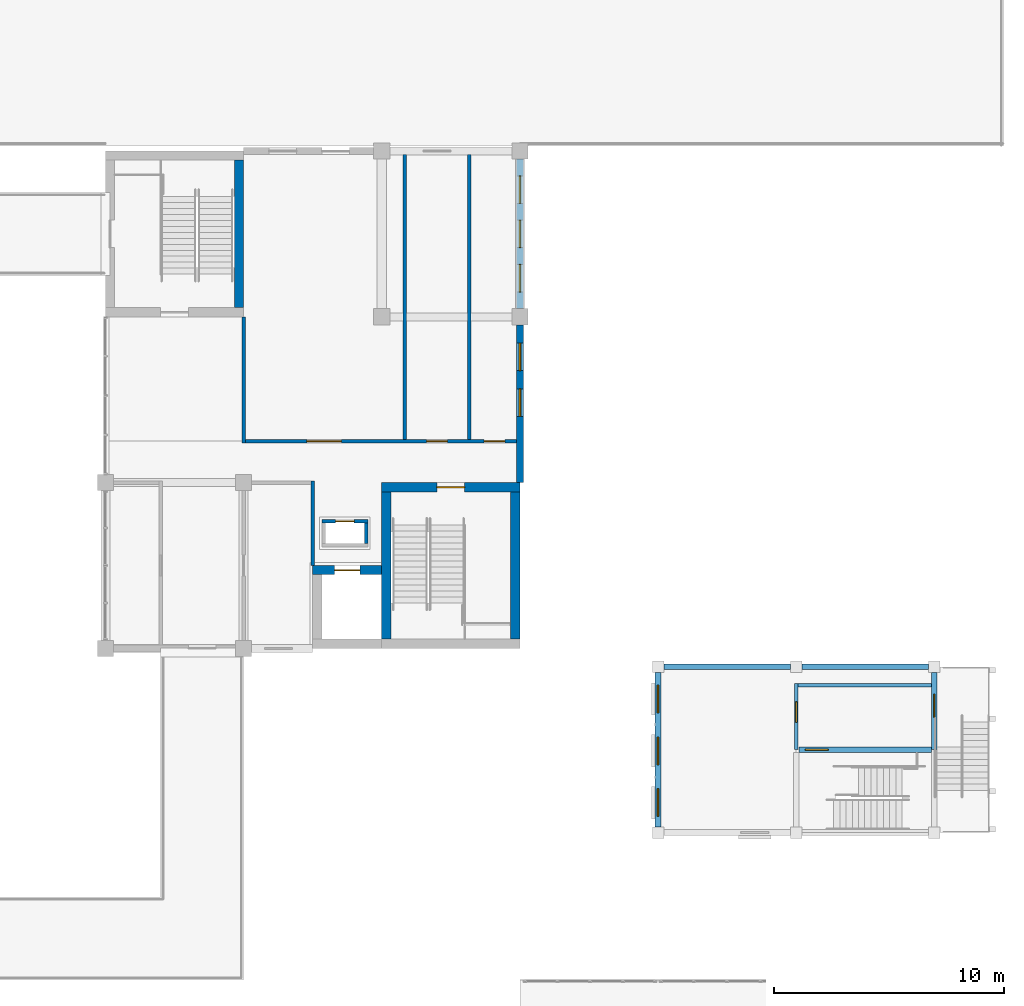
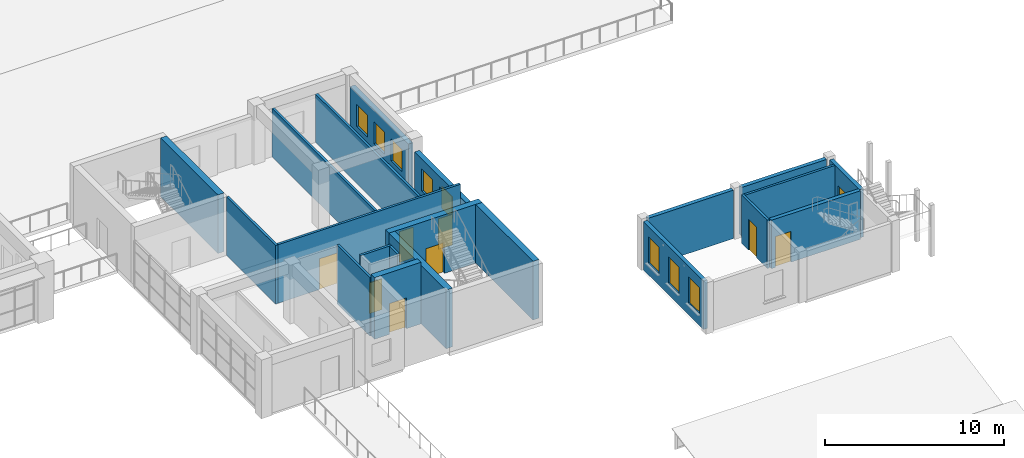
# One storey, part 77 of 101: 21 walls, 9 doors, 8 windows, 17 openings.
"""IFC4 building model written with IfcOpenShell, lengths in metres."""

from ifc_helpers import new_model, si_unit, direction, frame, frame_2d, origin, place, context, subcontext, project, spatial, rectangle, extrude, material, layer, layer_set, type_object, element, fill, save


model = new_model("IFC4")

# Units and contexts
model_context = context("Model", 3, precision=1e-05, world=origin(), true_north=direction((0.0, 1.0)))
body_context = subcontext(model_context, "Body", "Model", "MODEL_VIEW")
ifc_project = project(units=[si_unit("LENGTHUNIT", "METRE"), si_unit("AREAUNIT", "SQUARE_METRE"), si_unit("VOLUMEUNIT", "CUBIC_METRE"), si_unit("PLANEANGLEUNIT", "RADIAN"), si_unit("MASSUNIT", "GRAM", prefix="KILO")], contexts=[model_context])

# Site, building, storey
site_placement = place(None, origin())
site = spatial("IfcSite", under=ifc_project, at=site_placement, CompositionType="ELEMENT")
building_placement = place(site_placement, origin())
building = spatial("IfcBuilding", under=site, at=building_placement, Name="Laocheng Heights Fire and Rescue Headquarters", CompositionType="ELEMENT")
storey_placement = place(building_placement, frame((0.0, 0.0, 8.39990234375)))
storey = spatial("IfcBuildingStorey", under=building, at=storey_placement, Name="L02", CompositionType="ELEMENT", Elevation=8.39990234375)

# Walls
ifc_material_1 = material(Name="Gypsum plaster")
ifc_layer_1 = layer(ifc_material_1, 0.010009765625, Name="PLASTER", Category="plaster")
ifc_material_2 = material(Name="Concrete blockwork MU10", Category="masonry")
ifc_layer_2 = layer(ifc_material_2, 0.1298828125, Name="BLOCKWORK", Category="masonry")
ifc_layer_3 = layer(ifc_material_1, 0.010009765625, Name="PLASTER", Category="plaster")
ifc_layer_set_1 = layer_set([ifc_layer_1, ifc_layer_2, ifc_layer_3], Name="Concrete blockwork MU10")
wall_type_1 = type_object("IfcWallType", Name="BLOCKWORK CORRIDOR WALL 150 EI 60 CREW WING", PredefinedType="PARTITIONING", material=ifc_layer_set_1)
wall_1_placement = place(storey_placement, frame((96.0, 44.925048828125, 0.0), z_axis=(0.0, 0.0, 1.0), x_axis=(0.0, 1.0, 0.0)))
element("IfcWall", 1, at=wall_1_placement, inside=storey, type_object=wall_type_1, Name="Partition L02-003", PredefinedType="PARTITIONING", context=body_context, shape_type="SweptSolid", body=[
    extrude(rectangle(XDim=5.474853515625, YDim=0.14990234375, at=frame_2d((2.7373046875, 0.0))), origin(), (0.0, 0.0, 1.0), 4.0),
])
wall_2_placement = place(storey_placement, frame((99.0, 39.60009765625, 0.0), z_axis=(0.0, 0.0, 1.0), x_axis=(0.0, 1.0, 0.0)))
element("IfcWall", 2, at=wall_2_placement, inside=storey, type_object=wall_type_1, Name="Partition L02-004", PredefinedType="PARTITIONING", context=body_context, shape_type="SweptSolid", body=[
    extrude(rectangle(XDim=3.6748046875, YDim=0.14990234375, at=frame_2d((1.83740234375, 0.0))), origin(), (0.0, 0.0, 1.0), 4.0),
])
for number, where, z_axis, x_axis, name in (
    (3, (103.0, 45.074951171875, 0.0), (0.0, 0.0, 1.0), (0.0, 1.0, 0.0), "Partition L02-005"),
    (4, (105.800048828125, 45.074951171875, 0.0), (0.0, 0.0, 1.0), (0.0, 1.0, 0.0), "Partition L02-006"),
):
    element("IfcWall", number, at=place(storey_placement, frame(where, z_axis=z_axis, x_axis=x_axis)), inside=storey, type_object=wall_type_1, Name=name, PredefinedType="PARTITIONING", context=body_context, shape_type="SweptSolid", body=[
        extrude(rectangle(XDim=12.375, YDim=0.14990234375, at=frame_2d((6.1875, 0.0))), origin(), (0.0, 0.0, 1.0), 3.300048828125),
    ])

# Wall, openings, doors
wall_3_placement = place(storey_placement, frame((96.074951171875, 45.0, 0.0), z_axis=(0.0, 0.0, 1.0), x_axis=(1.0, 0.0, 0.0)))
wall_3 = element("IfcWall", 5, at=wall_3_placement, inside=storey, type_object=wall_type_1, Name="Partition L02-009", PredefinedType="PARTITIONING", context=body_context, shape_type="SweptSolid", body=[
    extrude(rectangle(XDim=11.775146484375, YDim=0.14990234375, at=frame_2d((5.8876953125, 0.0))), origin(), (0.0, 0.0, 1.0), 4.0),
])
opening_1_placement = place(wall_3_placement, frame((2.675048828125, 0.0, 0.0)))
opening_1 = element("IfcOpeningElement", 6, at=opening_1_placement, cuts=wall_3, Name="Opening L02-T03", PredefinedType="OPENING", context=body_context, shape_type="SweptSolid", body=[
    extrude(rectangle(XDim=1.5, YDim=2.10009765625, at=frame_2d((0.75, 1.050048828125))), frame((0.0, 0.0849609375, 0.0), z_axis=(0.0, -1.0, 0.0), x_axis=(1.0, 0.0, 0.0)), (0.0, 0.0, 1.0), 0.169921875),
])
opening_2_placement = place(wall_3_placement, frame((7.875, 0.0, 0.0)))
opening_2 = element("IfcOpeningElement", 7, at=opening_2_placement, cuts=wall_3, Name="Opening L02-T04", PredefinedType="OPENING", context=body_context, shape_type="SweptSolid", body=[
    extrude(rectangle(XDim=0.89990234375, YDim=2.10009765625, at=frame_2d((0.449951171875, 1.050048828125))), frame((0.0, 0.0849609375, 0.0), z_axis=(0.0, -1.0, 0.0), x_axis=(1.0, 0.0, 0.0)), (0.0, 0.0, 1.0), 0.169921875),
])
opening_3_placement = place(wall_3_placement, frame((10.375, 0.0, 0.0)))
opening_3 = element("IfcOpeningElement", 8, at=opening_3_placement, cuts=wall_3, Name="Opening L02-T05", PredefinedType="OPENING", context=body_context, shape_type="SweptSolid", body=[
    extrude(rectangle(XDim=0.89990234375, YDim=2.10009765625, at=frame_2d((0.449951171875, 1.050048828125))), frame((0.0, 0.0849609375, 0.0), z_axis=(0.0, -1.0, 0.0), x_axis=(1.0, 0.0, 0.0)), (0.0, 0.0, 1.0), 0.169921875),
])
ifc_material_3 = material(Name="Timber door leaf, veneered", Category="wood")
door_type_1 = type_object("IfcDoorType", Name="TIMBER DOOR 1500x2100 EI 30 CREW WING", OperationType="SINGLE_SWING_LEFT", PredefinedType="DOOR", material=ifc_material_3)
door_1_placement = place(opening_1_placement, origin())
door_1 = element("IfcDoor", 9, at=door_1_placement, inside=storey, type_object=door_type_1, Name="Door L02-T03", OperationType="SINGLE_SWING_LEFT", OverallHeight=2.10009765625, OverallWidth=1.5, PredefinedType="DOOR", context=body_context, shape_type="SweptSolid", body=[
    extrude(rectangle(XDim=1.5, YDim=2.10009765625, at=frame_2d((0.75, 1.050048828125))), frame((0.0, 0.02490234375, 0.0), z_axis=(0.0, -1.0, 0.0), x_axis=(1.0, 0.0, 0.0)), (0.0, 0.0, 1.0), 0.050048828125),
])
fill(opening_1, door_1)
ifc_material_4 = material(Name="Timber door leaf, veneered", Category="wood")
door_type_2 = type_object("IfcDoorType", Name="TIMBER DOOR 900x2100 EI 30 CREW WING", OperationType="SINGLE_SWING_LEFT", PredefinedType="DOOR", material=ifc_material_4)
door_2_placement = place(opening_2_placement, origin())
door_2 = element("IfcDoor", 10, at=door_2_placement, inside=storey, type_object=door_type_2, Name="Door L02-T04", OperationType="SINGLE_SWING_RIGHT", OverallHeight=2.10009765625, OverallWidth=0.89990234375, PredefinedType="DOOR", context=body_context, shape_type="SweptSolid", body=[
    extrude(rectangle(XDim=0.89990234375, YDim=2.10009765625, at=frame_2d((0.449951171875, 1.050048828125))), frame((0.0, 0.02490234375, 0.0), z_axis=(0.0, -1.0, 0.0), x_axis=(1.0, 0.0, 0.0)), (0.0, 0.0, 1.0), 0.050048828125),
])
fill(opening_2, door_2)
door_3_placement = place(opening_3_placement, origin())
door_3 = element("IfcDoor", 11, at=door_3_placement, inside=storey, type_object=door_type_2, Name="Door L02-T05", OperationType="SINGLE_SWING_RIGHT", OverallHeight=2.10009765625, OverallWidth=0.89990234375, PredefinedType="DOOR", context=body_context, shape_type="SweptSolid", body=[
    extrude(rectangle(XDim=0.89990234375, YDim=2.10009765625, at=frame_2d((0.449951171875, 1.050048828125))), frame((0.0, 0.02490234375, 0.0), z_axis=(0.0, -1.0, 0.0), x_axis=(1.0, 0.0, 0.0)), (0.0, 0.0, 1.0), 0.050048828125),
])
fill(opening_3, door_3)

# Wall, opening, door
ifc_material_5 = material(Name="Gypsum plaster")
ifc_layer_4 = layer(ifc_material_5, 0.010009765625, Name="PLASTER", Category="plaster")
ifc_material_6 = material(Name="Concrete blockwork MU10", Category="masonry")
ifc_layer_5 = layer(ifc_material_6, 0.1298828125, Name="BLOCKWORK", Category="masonry")
ifc_layer_6 = layer(ifc_material_5, 0.010009765625, Name="PLASTER", Category="plaster")
ifc_layer_set_2 = layer_set([ifc_layer_4, ifc_layer_5, ifc_layer_6], Name="Concrete blockwork MU10")
wall_type_2 = type_object("IfcWallType", Name="BLOCKWORK STAIR LANDING WALL 150 EI 120 DRILL TOWER", PredefinedType="PARTITIONING", material=ifc_layer_set_2)
wall_4_placement = place(storey_placement, frame((120.0, 31.60009765625, 2.10009765625), z_axis=(0.0, 0.0, 1.0), x_axis=(0.0, 1.0, 0.0)))
wall_4 = element("IfcWall", 12, at=wall_4_placement, inside=storey, type_object=wall_type_2, Name="Landing partition F4", PredefinedType="PARTITIONING", context=body_context, shape_type="SweptSolid", body=[
    extrude(rectangle(XDim=2.875, YDim=0.14990234375, at=frame_2d((1.4375, 0.0))), origin(), (0.0, 0.0, 1.0), 3.300048828125),
])
opening_4_placement = place(wall_4_placement, frame((1.1875, 0.0, 0.0)))
opening_4 = element("IfcOpeningElement", 13, at=opening_4_placement, cuts=wall_4, Name="Opening L02-L51", PredefinedType="OPENING", context=body_context, shape_type="SweptSolid", body=[
    extrude(rectangle(XDim=0.89990234375, YDim=2.10009765625, at=frame_2d((0.449951171875, 1.050048828125))), frame((0.0, 0.0849609375, 0.0), z_axis=(0.0, -1.0, 0.0), x_axis=(1.0, 0.0, 0.0)), (0.0, 0.0, 1.0), 0.169921875),
])
ifc_material_7 = material(Name="Steel door leaf, painted", Category="steel")
door_type_3 = type_object("IfcDoorType", Name="STEEL FIRE DOOR 900x2100 EI 90 DRILL TOWER", OperationType="SINGLE_SWING_LEFT", PredefinedType="DOOR", material=ifc_material_7)
door_4_placement = place(opening_4_placement, origin())
door_4 = element("IfcDoor", 14, at=door_4_placement, inside=storey, type_object=door_type_3, Name="Door L02-L51", OperationType="SINGLE_SWING_LEFT", OverallHeight=2.10009765625, OverallWidth=0.89990234375, PredefinedType="DOOR", context=body_context, shape_type="SweptSolid", body=[
    extrude(rectangle(XDim=0.89990234375, YDim=2.10009765625, at=frame_2d((0.449951171875, 1.050048828125))), frame((0.0, 0.02490234375, 0.0), z_axis=(0.0, -1.0, 0.0), x_axis=(1.0, 0.0, 0.0)), (0.0, 0.0, 1.0), 0.050048828125),
])
fill(opening_4, door_4)

# Wall
wall_5_placement = place(storey_placement, frame((120.074951171875, 34.39990234375, 2.10009765625), z_axis=(0.0, 0.0, 1.0), x_axis=(1.0, 0.0, 0.0)))
element("IfcWall", 15, at=wall_5_placement, inside=storey, type_object=wall_type_2, Name="Landing partition F4", PredefinedType="PARTITIONING", context=body_context, shape_type="SweptSolid", body=[
    extrude(rectangle(XDim=5.800048828125, YDim=0.14990234375, at=frame_2d((2.89990234375, 0.0))), origin(), (0.0, 0.0, 1.0), 3.300048828125),
])

# Wall, openings, windows
ifc_material_8 = material(Name="Precast concrete C40/50", Category="concrete")
ifc_layer_7 = layer(ifc_material_8, 0.300048828125)
ifc_layer_set_3 = layer_set([ifc_layer_7], Name="Precast concrete C40/50")
wall_type_3 = type_object("IfcWallType", Name="PRECAST WALL PANEL CREW 300", PredefinedType="SOLIDWALL", material=ifc_layer_set_3)
wall_6_placement = place(storey_placement, frame((108.0, 43.199951171875, 0.0), z_axis=(0.0, 0.0, 1.0), x_axis=(0.0, 1.0, 0.0)))
wall_6 = element("IfcWall", 16, at=wall_6_placement, inside=storey, type_object=wall_type_3, Name="PRECAST WALL PANEL CREW CREW EAST L02", PredefinedType="SOLIDWALL", context=body_context, shape_type="SweptSolid", body=[
    extrude(rectangle(XDim=6.85009765625, YDim=0.300048828125, at=frame_2d((3.425048828125, 0.0))), origin(), (0.0, 0.0, 1.0), 3.10009765625),
])
opening_5_placement = place(wall_6_placement, frame((2.8701171875, 0.0, 0.89990234375)))
opening_5 = element("IfcOpeningElement", 17, at=opening_5_placement, cuts=wall_6, Name="Opening N3-W", PredefinedType="OPENING", context=body_context, shape_type="SweptSolid", body=[
    extrude(rectangle(XDim=1.199951171875, YDim=1.5, at=frame_2d((0.60009765625, 0.75))), frame((0.0, 0.159912109375, 0.0), z_axis=(0.0, -1.0, 0.0), x_axis=(1.0, 0.0, 0.0)), (0.0, 0.0, 1.0), 0.320068359375),
])
opening_6_placement = place(wall_6_placement, frame((4.860107421875, 0.0, 0.89990234375)))
opening_6 = element("IfcOpeningElement", 18, at=opening_6_placement, cuts=wall_6, Name="Opening N3-W", PredefinedType="OPENING", context=body_context, shape_type="SweptSolid", body=[
    extrude(rectangle(XDim=1.199951171875, YDim=1.5, at=frame_2d((0.60009765625, 0.75))), frame((0.0, 0.159912109375, 0.0), z_axis=(0.0, -1.0, 0.0), x_axis=(1.0, 0.0, 0.0)), (0.0, 0.0, 1.0), 0.320068359375),
])
ifc_material_9 = material(Name="Low-e double glazing in aluminium frame", Category="aluminium")
window_type_1 = type_object("IfcWindowType", Name="WINDOW 1200 x 1500 CREW GENERAL", PartitioningType="SINGLE_PANEL", PredefinedType="WINDOW", material=ifc_material_9)
window_1_placement = place(opening_5_placement, origin())
window_1 = element("IfcWindow", 19, at=window_1_placement, inside=storey, type_object=window_type_1, Name="CREW GENERAL CREW EAST L02", OverallHeight=1.5, OverallWidth=1.199951171875, PartitioningType="SINGLE_PANEL", PredefinedType="WINDOW", context=body_context, shape_type="SweptSolid", body=[
    extrude(rectangle(XDim=1.199951171875, YDim=1.5, at=frame_2d((0.60009765625, 0.75))), frame((0.0, 0.030029296875, 0.0), z_axis=(0.0, -1.0, 0.0), x_axis=(1.0, 0.0, 0.0)), (0.0, 0.0, 1.0), 0.06005859375),
])
fill(opening_5, window_1)
window_2_placement = place(opening_6_placement, origin())
window_2 = element("IfcWindow", 20, at=window_2_placement, inside=storey, type_object=window_type_1, Name="CREW GENERAL CREW EAST L02", OverallHeight=1.5, OverallWidth=1.199951171875, PartitioningType="SINGLE_PANEL", PredefinedType="WINDOW", context=body_context, shape_type="SweptSolid", body=[
    extrude(rectangle(XDim=1.199951171875, YDim=1.5, at=frame_2d((0.60009765625, 0.75))), frame((0.0, 0.030029296875, 0.0), z_axis=(0.0, -1.0, 0.0), x_axis=(1.0, 0.0, 0.0)), (0.0, 0.0, 1.0), 0.06005859375),
])
fill(opening_6, window_2)

wall_7_placement = place(storey_placement, frame((108.0, 50.75, 0.0), z_axis=(0.0, 0.0, 1.0), x_axis=(0.0, 1.0, 0.0)))
wall_7 = element("IfcWall", 21, at=wall_7_placement, inside=storey, type_object=wall_type_3, Name="PRECAST WALL PANEL CREW CREW EAST L02", PredefinedType="SOLIDWALL", context=body_context, shape_type="SweptSolid", body=[
    extrude(rectangle(XDim=6.5, YDim=0.300048828125, at=frame_2d((3.25, 0.0))), origin(), (0.0, 0.0, 1.0), 3.2001953125),
])
opening_7_placement = place(wall_7_placement, frame((0.72509765625, 0.0, 0.89990234375)))
opening_7 = element("IfcOpeningElement", 22, at=opening_7_placement, cuts=wall_7, Name="Opening N3-W", PredefinedType="OPENING", context=body_context, shape_type="SweptSolid", body=[
    extrude(rectangle(XDim=1.199951171875, YDim=1.5, at=frame_2d((0.60009765625, 0.75))), frame((0.0, 0.159912109375, 0.0), z_axis=(0.0, -1.0, 0.0), x_axis=(1.0, 0.0, 0.0)), (0.0, 0.0, 1.0), 0.320068359375),
])
opening_8_placement = place(wall_7_placement, frame((2.64990234375, 0.0, 0.89990234375)))
opening_8 = element("IfcOpeningElement", 23, at=opening_8_placement, cuts=wall_7, Name="Opening N3-W", PredefinedType="OPENING", context=body_context, shape_type="SweptSolid", body=[
    extrude(rectangle(XDim=1.199951171875, YDim=1.5, at=frame_2d((0.60009765625, 0.75))), frame((0.0, 0.159912109375, 0.0), z_axis=(0.0, -1.0, 0.0), x_axis=(1.0, 0.0, 0.0)), (0.0, 0.0, 1.0), 0.320068359375),
])
opening_9_placement = place(wall_7_placement, frame((4.574951171875, 0.0, 0.89990234375)))
opening_9 = element("IfcOpeningElement", 24, at=opening_9_placement, cuts=wall_7, Name="Opening N3-W", PredefinedType="OPENING", context=body_context, shape_type="SweptSolid", body=[
    extrude(rectangle(XDim=1.199951171875, YDim=1.5, at=frame_2d((0.60009765625, 0.75))), frame((0.0, 0.159912109375, 0.0), z_axis=(0.0, -1.0, 0.0), x_axis=(1.0, 0.0, 0.0)), (0.0, 0.0, 1.0), 0.320068359375),
])
window_3_placement = place(opening_7_placement, origin())
window_3 = element("IfcWindow", 25, at=window_3_placement, inside=storey, type_object=window_type_1, Name="CREW GENERAL CREW EAST L02", OverallHeight=1.5, OverallWidth=1.199951171875, PartitioningType="SINGLE_PANEL", PredefinedType="WINDOW", context=body_context, shape_type="SweptSolid", body=[
    extrude(rectangle(XDim=1.199951171875, YDim=1.5, at=frame_2d((0.60009765625, 0.75))), frame((0.0, 0.030029296875, 0.0), z_axis=(0.0, -1.0, 0.0), x_axis=(1.0, 0.0, 0.0)), (0.0, 0.0, 1.0), 0.06005859375),
])
fill(opening_7, window_3)
window_4_placement = place(opening_8_placement, origin())
window_4 = element("IfcWindow", 26, at=window_4_placement, inside=storey, type_object=window_type_1, Name="CREW GENERAL CREW EAST L02", OverallHeight=1.5, OverallWidth=1.199951171875, PartitioningType="SINGLE_PANEL", PredefinedType="WINDOW", context=body_context, shape_type="SweptSolid", body=[
    extrude(rectangle(XDim=1.199951171875, YDim=1.5, at=frame_2d((0.60009765625, 0.75))), frame((0.0, 0.030029296875, 0.0), z_axis=(0.0, -1.0, 0.0), x_axis=(1.0, 0.0, 0.0)), (0.0, 0.0, 1.0), 0.06005859375),
])
fill(opening_8, window_4)
window_5_placement = place(opening_9_placement, origin())
window_5 = element("IfcWindow", 27, at=window_5_placement, inside=storey, type_object=window_type_1, Name="CREW GENERAL CREW EAST L02", OverallHeight=1.5, OverallWidth=1.199951171875, PartitioningType="SINGLE_PANEL", PredefinedType="WINDOW", context=body_context, shape_type="SweptSolid", body=[
    extrude(rectangle(XDim=1.199951171875, YDim=1.5, at=frame_2d((0.60009765625, 0.75))), frame((0.0, 0.030029296875, 0.0), z_axis=(0.0, -1.0, 0.0), x_axis=(1.0, 0.0, 0.0)), (0.0, 0.0, 1.0), 0.06005859375),
])
fill(opening_9, window_5)

# Wall, opening, door
ifc_material_10 = material(Name="Concrete C50", Category="concrete")
ifc_layer_8 = layer(ifc_material_10, 0.39990234375)
ifc_layer_set_4 = layer_set([ifc_layer_8], Name="Concrete C50")
wall_type_4 = type_object("IfcWallType", Name="RC LIFT SHAFT WALL 400", PredefinedType="SHEAR", material=ifc_layer_set_4)
wall_8_placement = place(storey_placement, frame((99.0, 39.39990234375, 0.0), z_axis=(0.0, 0.0, 1.0), x_axis=(1.0, 0.0, 0.0)))
wall_8 = element("IfcWall", 28, at=wall_8_placement, inside=storey, type_object=wall_type_4, Name="Lift shaft wall", PredefinedType="SHEAR", context=body_context, shape_type="SweptSolid", body=[
    extrude(rectangle(XDim=3.0, YDim=0.39990234375, at=frame_2d((1.5, 0.0))), origin(), (0.0, 0.0, 1.0), 4.2001953125),
])
opening_10_placement = place(wall_8_placement, frame((0.949951171875, 0.0, 0.0)))
opening_10 = element("IfcOpeningElement", 29, at=opening_10_placement, cuts=wall_8, Name="Opening L02-K17", PredefinedType="OPENING", context=body_context, shape_type="SweptSolid", body=[
    extrude(rectangle(XDim=1.10009765625, YDim=2.10009765625, at=frame_2d((0.550048828125, 1.050048828125))), frame((0.0, 0.2099609375, 0.0), z_axis=(0.0, -1.0, 0.0), x_axis=(1.0, 0.0, 0.0)), (0.0, 0.0, 1.0), 0.419921875),
])
ifc_material_11 = material(Name="Stainless steel", Category="steel")
door_type_4 = type_object("IfcDoorType", Name="LANDING DOOR C-L1 SLIDING 1100x2100 E 120", OperationType="DOUBLE_DOOR_SLIDING", PredefinedType="DOOR", material=ifc_material_11)
door_5_placement = place(opening_10_placement, origin())
door_5 = element("IfcDoor", 30, at=door_5_placement, inside=storey, type_object=door_type_4, Name="Landing door C-L1", OperationType="DOUBLE_DOOR_SLIDING", OverallHeight=2.10009765625, OverallWidth=1.10009765625, PredefinedType="DOOR", context=body_context, shape_type="SweptSolid", body=[
    extrude(rectangle(XDim=1.10009765625, YDim=2.10009765625, at=frame_2d((0.550048828125, 1.050048828125))), frame((0.0, 0.02490234375, 0.0), z_axis=(0.0, -1.0, 0.0), x_axis=(1.0, 0.0, 0.0)), (0.0, 0.0, 1.0), 0.050048828125),
])
fill(opening_10, door_5)

# Walls
ifc_material_12 = material(Name="Concrete C40", Category="concrete")
ifc_layer_9 = layer(ifc_material_12, 0.25)
ifc_layer_set_5 = layer_set([ifc_layer_9], Name="Concrete C40")
wall_type_5 = type_object("IfcWallType", Name="RC SHEAR WALL 250 BOARD-MARKED DRILL TOWER", PredefinedType="SHEAR", material=ifc_layer_set_5)
for number, where, z_axis, x_axis, name in (
    (31, (114.25, 35.199951171875, 2.10009765625), (0.0, 0.0, 1.0), (1.0, 0.0, 0.0), "Drill tower wall N F4"),
    (32, (120.25, 35.199951171875, 2.10009765625), (0.0, 0.0, 1.0), (1.0, 0.0, 0.0), "Drill tower wall N F4"),
):
    element("IfcWall", number, at=place(storey_placement, frame(where, z_axis=z_axis, x_axis=x_axis)), inside=storey, type_object=wall_type_5, Name=name, PredefinedType="SHEAR", context=body_context, shape_type="SweptSolid", body=[
        extrude(rectangle(XDim=5.5, YDim=0.25, at=frame_2d((2.75, 0.0))), origin(), (0.0, 0.0, 1.0), 3.300048828125),
    ])

# Wall, openings, windows
wall_9_placement = place(storey_placement, frame((114.0, 28.25, 2.10009765625), z_axis=(0.0, 0.0, 1.0), x_axis=(0.0, 1.0, 0.0)))
wall_9 = element("IfcWall", 33, at=wall_9_placement, inside=storey, type_object=wall_type_5, Name="Drill tower wall W F4", PredefinedType="SHEAR", context=body_context, shape_type="SweptSolid", body=[
    extrude(rectangle(XDim=6.699951171875, YDim=0.25, at=frame_2d((3.35009765625, 0.0))), origin(), (0.0, 0.0, 1.0), 3.300048828125),
])
opening_11_placement = place(wall_9_placement, frame((0.449951171875, 0.0, 0.800048828125)))
opening_11 = element("IfcOpeningElement", 34, at=opening_11_placement, cuts=wall_9, Name="Opening N5-L", PredefinedType="OPENING", context=body_context, shape_type="SweptSolid", body=[
    extrude(rectangle(XDim=1.199951171875, YDim=1.800048828125, at=frame_2d((0.60009765625, 0.89990234375))), frame((0.0, 0.135009765625, 0.0), z_axis=(0.0, -1.0, 0.0), x_axis=(1.0, 0.0, 0.0)), (0.0, 0.0, 1.0), 0.27001953125),
])
opening_12_placement = place(wall_9_placement, frame((2.699951171875, 0.0, 0.800048828125)))
opening_12 = element("IfcOpeningElement", 35, at=opening_12_placement, cuts=wall_9, Name="Opening N5-L", PredefinedType="OPENING", context=body_context, shape_type="SweptSolid", body=[
    extrude(rectangle(XDim=1.199951171875, YDim=1.800048828125, at=frame_2d((0.60009765625, 0.89990234375))), frame((0.0, 0.135009765625, 0.0), z_axis=(0.0, -1.0, 0.0), x_axis=(1.0, 0.0, 0.0)), (0.0, 0.0, 1.0), 0.27001953125),
])
opening_13_placement = place(wall_9_placement, frame((4.949951171875, 0.0, 0.800048828125)))
opening_13 = element("IfcOpeningElement", 36, at=opening_13_placement, cuts=wall_9, Name="Opening N5-L", PredefinedType="OPENING", context=body_context, shape_type="SweptSolid", body=[
    extrude(rectangle(XDim=1.199951171875, YDim=1.800048828125, at=frame_2d((0.60009765625, 0.89990234375))), frame((0.0, 0.135009765625, 0.0), z_axis=(0.0, -1.0, 0.0), x_axis=(1.0, 0.0, 0.0)), (0.0, 0.0, 1.0), 0.27001953125),
])
ifc_material_13 = material(Name="Steel frame, single glazing", Category="steel")
window_type_2 = type_object("IfcWindowType", Name="STEEL TRAINING WINDOW 1200 x 1800", PartitioningType="SINGLE_PANEL", PredefinedType="WINDOW", material=ifc_material_13)
window_6_placement = place(opening_11_placement, origin())
window_6 = element("IfcWindow", 37, at=window_6_placement, inside=storey, type_object=window_type_2, Name="Training window fourth floor west face", OverallHeight=1.800048828125, OverallWidth=1.199951171875, PartitioningType="SINGLE_PANEL", PredefinedType="WINDOW", context=body_context, shape_type="SweptSolid", body=[
    extrude(rectangle(XDim=1.199951171875, YDim=1.800048828125, at=frame_2d((0.60009765625, 0.89990234375))), frame((0.0, 0.030029296875, 0.0), z_axis=(0.0, -1.0, 0.0), x_axis=(1.0, 0.0, 0.0)), (0.0, 0.0, 1.0), 0.06005859375),
])
fill(opening_11, window_6)
window_7_placement = place(opening_12_placement, origin())
window_7 = element("IfcWindow", 38, at=window_7_placement, inside=storey, type_object=window_type_2, Name="Training window fourth floor west face", OverallHeight=1.800048828125, OverallWidth=1.199951171875, PartitioningType="SINGLE_PANEL", PredefinedType="WINDOW", context=body_context, shape_type="SweptSolid", body=[
    extrude(rectangle(XDim=1.199951171875, YDim=1.800048828125, at=frame_2d((0.60009765625, 0.89990234375))), frame((0.0, 0.030029296875, 0.0), z_axis=(0.0, -1.0, 0.0), x_axis=(1.0, 0.0, 0.0)), (0.0, 0.0, 1.0), 0.06005859375),
])
fill(opening_12, window_7)
window_8_placement = place(opening_13_placement, origin())
window_8 = element("IfcWindow", 39, at=window_8_placement, inside=storey, type_object=window_type_2, Name="Training window fourth floor west face", OverallHeight=1.800048828125, OverallWidth=1.199951171875, PartitioningType="SINGLE_PANEL", PredefinedType="WINDOW", context=body_context, shape_type="SweptSolid", body=[
    extrude(rectangle(XDim=1.199951171875, YDim=1.800048828125, at=frame_2d((0.60009765625, 0.89990234375))), frame((0.0, 0.030029296875, 0.0), z_axis=(0.0, -1.0, 0.0), x_axis=(1.0, 0.0, 0.0)), (0.0, 0.0, 1.0), 0.06005859375),
])
fill(opening_13, window_8)

# Wall, opening, door
wall_10_placement = place(storey_placement, frame((126.0, 31.60009765625, 2.10009765625), z_axis=(0.0, 0.0, 1.0), x_axis=(0.0, 1.0, 0.0)))
wall_10 = element("IfcWall", 40, at=wall_10_placement, inside=storey, type_object=wall_type_5, Name="Drill tower wall E F4", PredefinedType="SHEAR", context=body_context, shape_type="SweptSolid", body=[
    extrude(rectangle(XDim=3.349853515625, YDim=0.25, at=frame_2d((1.6748046875, 0.0))), origin(), (0.0, 0.0, 1.0), 3.300048828125),
])
opening_14_placement = place(wall_10_placement, frame((1.39990234375, 0.0, 0.0)))
opening_14 = element("IfcOpeningElement", 41, at=opening_14_placement, cuts=wall_10, Name="Opening L02-L01", PredefinedType="OPENING", context=body_context, shape_type="SweptSolid", body=[
    extrude(rectangle(XDim=1.0, YDim=2.10009765625, at=frame_2d((0.5, 1.050048828125))), frame((0.0, 0.135009765625, 0.0), z_axis=(0.0, -1.0, 0.0), x_axis=(1.0, 0.0, 0.0)), (0.0, 0.0, 1.0), 0.27001953125),
])
ifc_material_14 = material(Name="Steel door leaf, painted", Category="steel")
door_type_5 = type_object("IfcDoorType", Name="STEEL DOOR 1000x2100 EI 60 DRILL TOWER", OperationType="SINGLE_SWING_LEFT", PredefinedType="DOOR", material=ifc_material_14)
door_6_placement = place(opening_14_placement, origin())
door_6 = element("IfcDoor", 42, at=door_6_placement, inside=storey, type_object=door_type_5, Name="Door L02-L01", OperationType="SINGLE_SWING_LEFT", OverallHeight=2.10009765625, OverallWidth=1.0, PredefinedType="DOOR", context=body_context, shape_type="SweptSolid", body=[
    extrude(rectangle(XDim=1.0, YDim=2.10009765625, at=frame_2d((0.5, 1.050048828125))), frame((0.0, 0.02490234375, 0.0), z_axis=(0.0, -1.0, 0.0), x_axis=(1.0, 0.0, 0.0)), (0.0, 0.0, 1.0), 0.050048828125),
])
fill(opening_14, door_6)

ifc_material_15 = material(Name="Concrete C50", Category="concrete")
ifc_layer_10 = layer(ifc_material_15, 0.25)
ifc_layer_set_6 = layer_set([ifc_layer_10], Name="Concrete C50")
wall_type_6 = type_object("IfcWallType", Name="RC STAIR ENCLOSURE WALL 250", PredefinedType="SHEAR", material=ifc_layer_set_6)
wall_11_placement = place(storey_placement, frame((120.125, 31.60009765625, 2.10009765625), z_axis=(0.0, 0.0, 1.0), x_axis=(1.0, 0.0, 0.0)))
wall_11 = element("IfcWall", 43, at=wall_11_placement, inside=storey, type_object=wall_type_6, Name="Stair enclosure wall", PredefinedType="SHEAR", context=body_context, shape_type="SweptSolid", body=[
    extrude(rectangle(XDim=5.75, YDim=0.25, at=frame_2d((2.875, 0.0))), origin(), (0.0, 0.0, 1.0), 3.300048828125),
])
opening_15_placement = place(wall_11_placement, frame((0.27490234375, 0.0, 0.0)))
opening_15 = element("IfcOpeningElement", 44, at=opening_15_placement, cuts=wall_11, Name="Opening L02-K31", PredefinedType="OPENING", context=body_context, shape_type="SweptSolid", body=[
    extrude(rectangle(XDim=1.0, YDim=2.10009765625, at=frame_2d((0.5, 1.050048828125))), frame((0.0, 0.135009765625, 0.0), z_axis=(0.0, -1.0, 0.0), x_axis=(1.0, 0.0, 0.0)), (0.0, 0.0, 1.0), 0.27001953125),
])
ifc_material_16 = material(Name="Painted steel", Category="steel")
door_type_6 = type_object("IfcDoorType", Name="FIRE DOOR 1000x2100 EI 60", OperationType="SINGLE_SWING_LEFT", PredefinedType="DOOR", material=ifc_material_16)
door_7_placement = place(opening_15_placement, origin())
door_7 = element("IfcDoor", 45, at=door_7_placement, inside=storey, type_object=door_type_6, Name="Stair T1 door", OperationType="SINGLE_SWING_LEFT", OverallHeight=2.10009765625, OverallWidth=1.0, PredefinedType="DOOR", context=body_context, shape_type="SweptSolid", body=[
    extrude(rectangle(XDim=1.0, YDim=2.10009765625, at=frame_2d((0.5, 1.050048828125))), frame((0.0, 0.02490234375, 0.0), z_axis=(0.0, -1.0, 0.0), x_axis=(1.0, 0.0, 0.0)), (0.0, 0.0, 1.0), 0.050048828125),
])
fill(opening_15, door_7)

ifc_material_17 = material(Name="Concrete C50", Category="concrete")
ifc_layer_11 = layer(ifc_material_17, 0.39990234375)
ifc_layer_set_7 = layer_set([ifc_layer_11], Name="Concrete C50")
wall_type_7 = type_object("IfcWallType", Name="RC STAIR ENCLOSURE WALL 400", PredefinedType="SHEAR", material=ifc_layer_set_7)
wall_12_placement = place(storey_placement, frame((102.0, 43.0, 0.0), z_axis=(0.0, 0.0, 1.0), x_axis=(1.0, 0.0, 0.0)))
wall_12 = element("IfcWall", 46, at=wall_12_placement, inside=storey, type_object=wall_type_7, Name="Stair enclosure wall", PredefinedType="SHEAR", context=body_context, shape_type="SweptSolid", body=[
    extrude(rectangle(XDim=6.0, YDim=0.39990234375, at=frame_2d((3.0, 0.0))), origin(), (0.0, 0.0, 1.0), 4.0),
])
opening_16_placement = place(wall_12_placement, frame((2.39990234375, 0.0, 0.0)))
opening_16 = element("IfcOpeningElement", 47, at=opening_16_placement, cuts=wall_12, Name="Opening L02-K16", PredefinedType="OPENING", context=body_context, shape_type="SweptSolid", body=[
    extrude(rectangle(XDim=1.199951171875, YDim=2.10009765625, at=frame_2d((0.60009765625, 1.050048828125))), frame((0.0, 0.2099609375, 0.0), z_axis=(0.0, -1.0, 0.0), x_axis=(1.0, 0.0, 0.0)), (0.0, 0.0, 1.0), 0.419921875),
])
ifc_material_18 = material(Name="Painted steel", Category="steel")
door_type_7 = type_object("IfcDoorType", Name="FIRE DOOR 1200x2100 EI 60", OperationType="SINGLE_SWING_LEFT", PredefinedType="DOOR", material=ifc_material_18)
door_8_placement = place(opening_16_placement, frame((1.199951171875, 0.0, 0.0), z_axis=(0.0, 0.0, 1.0), x_axis=(-1.0, 0.0, 0.0)))
door_8 = element("IfcDoor", 48, at=door_8_placement, inside=storey, type_object=door_type_7, Name="Stair C1 door", OperationType="SINGLE_SWING_RIGHT", OverallHeight=2.10009765625, OverallWidth=1.199951171875, PredefinedType="DOOR", context=body_context, shape_type="SweptSolid", body=[
    extrude(rectangle(XDim=1.199951171875, YDim=2.10009765625, at=frame_2d((0.60009765625, 1.050048828125))), frame((0.0, 0.02490234375, 0.0), z_axis=(0.0, -1.0, 0.0), x_axis=(1.0, 0.0, 0.0)), (0.0, 0.0, 1.0), 0.050048828125),
])
fill(opening_16, door_8)

# Walls
for number, where, z_axis, x_axis, name in (
    (49, (102.199951171875, 36.39990234375, 0.0), (0.0, 0.0, 1.0), (0.0, 1.0, 0.0), "Stair enclosure wall"),
    (50, (107.800048828125, 36.39990234375, 0.0), (0.0, 0.0, 1.0), (0.0, 1.0, 0.0), "Stair enclosure wall"),
):
    element("IfcWall", number, at=place(storey_placement, frame(where, z_axis=z_axis, x_axis=x_axis)), inside=storey, type_object=wall_type_7, Name=name, PredefinedType="SHEAR", context=body_context, shape_type="SweptSolid", body=[
        extrude(rectangle(XDim=6.400146484375, YDim=0.39990234375, at=frame_2d((3.2001953125, 0.0))), origin(), (0.0, 0.0, 1.0), 4.0),
    ])
wall_13_placement = place(storey_placement, frame((95.800048828125, 50.800048828125, 0.0), z_axis=(0.0, 0.0, 1.0), x_axis=(0.0, 1.0, 0.0)))
element("IfcWall", 51, at=wall_13_placement, inside=storey, type_object=wall_type_7, Name="Stair enclosure wall", PredefinedType="SHEAR", context=body_context, shape_type="SweptSolid", body=[
    extrude(rectangle(XDim=6.39990234375, YDim=0.39990234375, at=frame_2d((3.199951171875, 0.0))), origin(), (0.0, 0.0, 1.0), 4.0),
])

# Wall, opening, door
ifc_material_19 = material(Name="Concrete C30", Category="concrete")
ifc_layer_12 = layer(ifc_material_19, 0.14990234375)
ifc_layer_set_8 = layer_set([ifc_layer_12], Name="Concrete C30")
wall_type_8 = type_object("IfcWallType", Name="RISER SHAFT WALL 150", PredefinedType="SOLIDWALL", material=ifc_layer_set_8)
wall_14_placement = place(storey_placement, frame((99.39990234375, 41.52490234375, 0.0), z_axis=(0.0, 0.0, 1.0), x_axis=(1.0, 0.0, 0.0)))
wall_14 = element("IfcWall", 52, at=wall_14_placement, inside=storey, type_object=wall_type_8, Name="Riser shaft wall", PredefinedType="SOLIDWALL", context=body_context, shape_type="SweptSolid", body=[
    extrude(rectangle(XDim=2.0, YDim=0.14990234375, at=frame_2d((1.0, 0.0))), origin(), (0.0, 0.0, 1.0), 4.2001953125),
])
opening_17_placement = place(wall_14_placement, frame((0.60009765625, 0.0, 0.0)))
opening_17 = element("IfcOpeningElement", 53, at=opening_17_placement, cuts=wall_14, Name="Opening L02-K18", PredefinedType="OPENING", context=body_context, shape_type="SweptSolid", body=[
    extrude(rectangle(XDim=0.800048828125, YDim=2.10009765625, at=frame_2d((0.39990234375, 1.050048828125))), frame((0.0, 0.0849609375, 0.0), z_axis=(0.0, -1.0, 0.0), x_axis=(1.0, 0.0, 0.0)), (0.0, 0.0, 1.0), 0.169921875),
])
ifc_material_20 = material(Name="Painted steel", Category="steel")
door_type_8 = type_object("IfcDoorType", Name="RISER ACCESS DOOR 800x2100 EI 30", OperationType="SINGLE_SWING_LEFT", PredefinedType="DOOR", material=ifc_material_20)
door_9_placement = place(opening_17_placement, origin())
door_9 = element("IfcDoor", 54, at=door_9_placement, inside=storey, type_object=door_type_8, Name="Riser RC1 access door", OperationType="SINGLE_SWING_LEFT", OverallHeight=2.10009765625, OverallWidth=0.800048828125, PredefinedType="DOOR", context=body_context, shape_type="SweptSolid", body=[
    extrude(rectangle(XDim=0.800048828125, YDim=2.10009765625, at=frame_2d((0.39990234375, 1.050048828125))), frame((0.0, 0.02490234375, 0.0), z_axis=(0.0, -1.0, 0.0), x_axis=(1.0, 0.0, 0.0)), (0.0, 0.0, 1.0), 0.050048828125),
])
fill(opening_17, door_9)

# Wall
wall_15_placement = place(storey_placement, frame((101.324951171875, 40.550048828125, 0.0), z_axis=(0.0, 0.0, 1.0), x_axis=(0.0, 1.0, 0.0)))
element("IfcWall", 55, at=wall_15_placement, inside=storey, type_object=wall_type_8, Name="Riser shaft wall", PredefinedType="SOLIDWALL", context=body_context, shape_type="SweptSolid", body=[
    extrude(rectangle(XDim=0.89990234375, YDim=0.14990234375, at=frame_2d((0.449951171875, 0.0))), origin(), (0.0, 0.0, 1.0), 4.2001953125),
])

save(model, "model.ifc")
